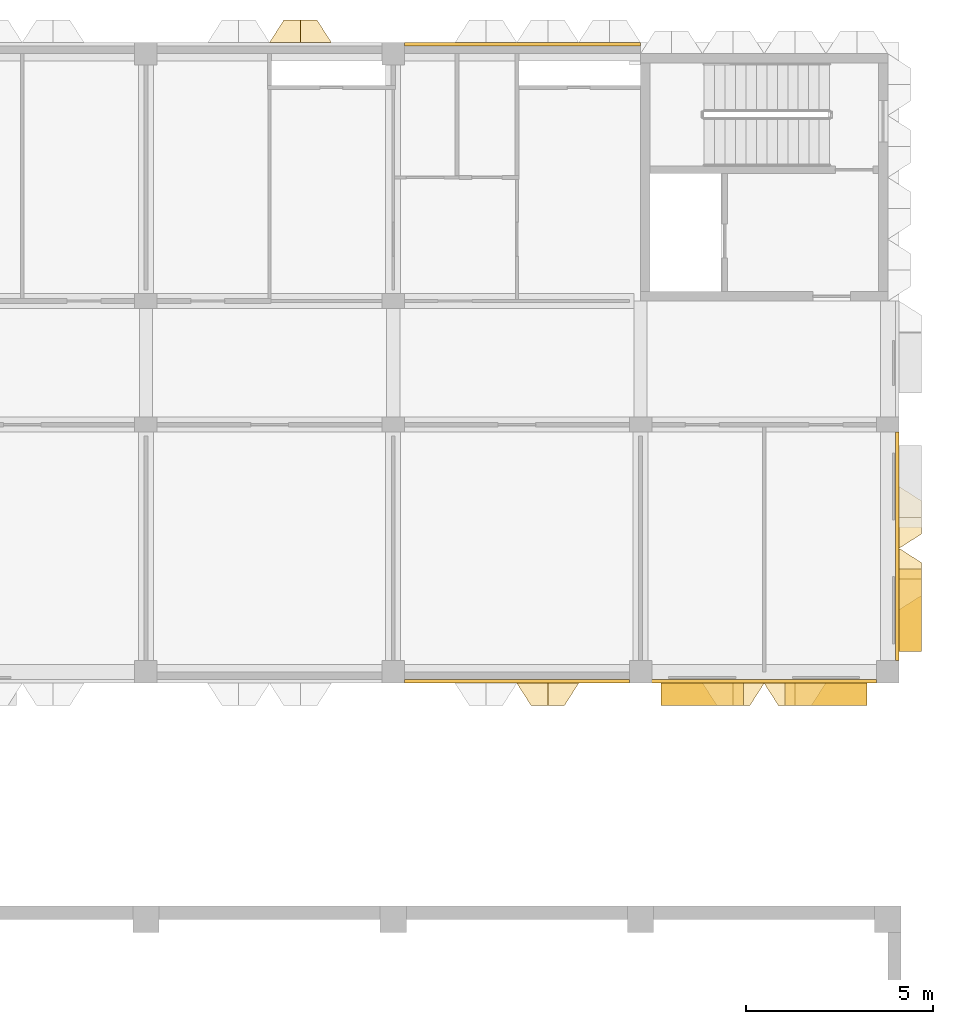
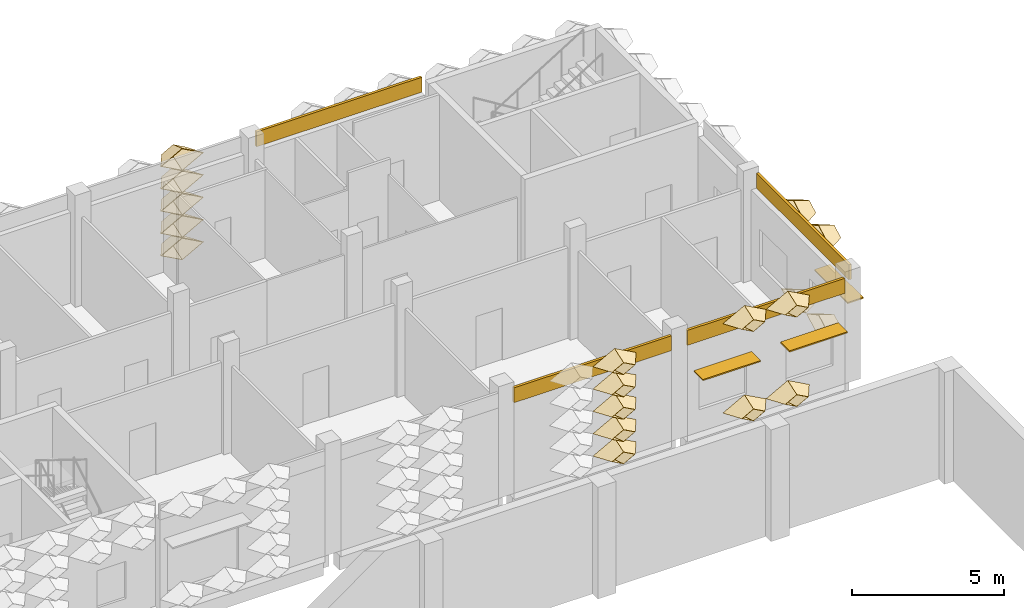
# One storey, part 83 of 87: 22 coverings, 3 shading devices.
"""IFC4 building model written with IfcOpenShell, lengths in metres."""

from ifc_helpers import new_model, entity, si_unit, direction, frame, frame_2d, origin, origin_2d, place, context, subcontext, project, spatial, rectangle, extrude, material, layer, layer_set, type_object, element, save


model = new_model("IFC4")

# Units and contexts
model_context = context("Model", 3, precision=1e-05, world=origin(), true_north=direction((0.0, 1.0)))
body_context = subcontext(model_context, "Body", "Model", "MODEL_VIEW")
ifc_project = project(units=[si_unit("LENGTHUNIT", "METRE"), si_unit("AREAUNIT", "SQUARE_METRE"), si_unit("VOLUMEUNIT", "CUBIC_METRE"), si_unit("PLANEANGLEUNIT", "RADIAN"), si_unit("MASSUNIT", "GRAM", prefix="KILO")], contexts=[model_context])

# Site, building, storey
site_placement = place(None, origin())
site = spatial("IfcSite", under=ifc_project, at=site_placement, CompositionType="ELEMENT")
building_placement = place(site_placement, origin())
building = spatial("IfcBuilding", under=site, at=building_placement, Name="Lantern Court Research Institute", CompositionType="ELEMENT")
storey_placement = place(building_placement, frame((0.0, 0.0, 5.39990234375)))
storey = spatial("IfcBuildingStorey", under=building, at=storey_placement, Name="L01", CompositionType="ELEMENT", Elevation=5.39990234375)

# Shading devices
ifc_material_1 = material(Name="Aluminium alloy 6063-T6", Category="aluminium")
ifc_layer_1 = layer(ifc_material_1, 0.050048828125)
ifc_layer_set_1 = layer_set([ifc_layer_1], Name="Aluminium alloy 6063-T6")
shading_device_type = type_object("IfcShadingDeviceType", Name="Brise-soleil blade 2200 x 600 x 50 aluminium", PredefinedType="USERDEFINED", material=ifc_layer_set_1)
for number, where, z_axis, x_axis, name in (
    (1, (79.800048828125, 84.14990234375, 2.5), (0.0, 0.0, 1.0), (0.0, -1.0, 0.0), "Brise-soleil blade L01 E"),
    (2, (74.25, 81.89990234375, 2.5), (0.0, 0.0, 1.0), (-1.0, 0.0, 0.0), "Brise-soleil blade L01 S"),
    (3, (77.550048828125, 81.89990234375, 2.5), (0.0, 0.0, 1.0), (-1.0, 0.0, 0.0), "Brise-soleil blade L01 S"),
):
    element("IfcShadingDevice", number, at=place(storey_placement, frame(where, z_axis=z_axis, x_axis=x_axis)), inside=storey, type_object=shading_device_type, Name=name, ObjectType="LOUVRE", PredefinedType="USERDEFINED", context=body_context, shape_type="SweptSolid", body=[
        extrude(rectangle(XDim=2.199951171875, YDim=0.60009765625, at=origin_2d()), origin(), (0.0, 0.0, 1.0), 0.050048828125),
    ])

# Coverings
ifc_material_2 = material(Name="Aluminium composite panel with mineral wool insulation", Category="aluminium")
ifc_layer_2 = layer(ifc_material_2, 0.10009765625)
ifc_layer_set_2 = layer_set([ifc_layer_2], Name="Aluminium composite panel with mineral wool insulation")
covering_type_1 = type_object("IfcCoveringType", Name="Edge fascia panel 100 aluminium faced", PredefinedType="CLADDING", material=ifc_layer_set_2)
covering_1_placement = place(storey_placement, frame((79.449951171875, 88.89990234375, 3.650146484375), z_axis=(0.0, 0.0, 1.0), x_axis=(0.0, -1.0, 0.0)))
element("IfcCovering", 4, at=covering_1_placement, inside=storey, type_object=covering_type_1, Name="Edge fascia V6E L01 01", PredefinedType="CLADDING", context=body_context, shape_type="SweptSolid", body=[
    extrude(rectangle(XDim=6.099853515625, YDim=0.10009765625, at=frame_2d((3.0498046875, 0.0))), origin(), (0.0, 0.0, 1.0), 0.599853515625),
])
covering_2_placement = place(storey_placement, frame((66.300048828125, 99.25, 3.650146484375), z_axis=(0.0, 0.0, 1.0), x_axis=(1.0, 0.0, 0.0)))
element("IfcCovering", 5, at=covering_2_placement, inside=storey, type_object=covering_type_1, Name="Edge fascia V6N L01 10", PredefinedType="CLADDING", context=body_context, shape_type="SweptSolid", body=[
    extrude(rectangle(XDim=6.300048828125, YDim=0.10009765625, at=frame_2d((3.14990234375, 0.0))), origin(), (0.0, 0.0, 1.0), 0.599853515625),
])
for number, where, z_axis, x_axis, name in (
    (6, (72.300048828125, 82.25, 3.650146484375), (0.0, 0.0, 1.0), (-1.0, 0.0, 0.0), "Edge fascia V6S L01 09"),
    (7, (78.89990234375, 82.25, 3.650146484375), (0.0, 0.0, 1.0), (-1.0, 0.0, 0.0), "Edge fascia V6S L01 10"),
):
    element("IfcCovering", number, at=place(storey_placement, frame(where, z_axis=z_axis, x_axis=x_axis)), inside=storey, type_object=covering_type_1, Name=name, PredefinedType="CLADDING", context=body_context, shape_type="SweptSolid", body=[
        extrude(rectangle(XDim=6.0, YDim=0.10009765625, at=frame_2d((3.0, 0.0))), origin(), (0.0, 0.0, 1.0), 0.599853515625),
    ])
ifc_material_3 = material(Name="Anodised aluminium", Category="aluminium")
ifc_layer_3 = layer(ifc_material_3, 0.01611328125)
ifc_layer_set_3 = layer_set([ifc_layer_3], Name="Anodised aluminium")
covering_type_2 = type_object("IfcCoveringType", Name="Fin cassette 1650 x 900 x 600 aluminium", PredefinedType="CLADDING", material=ifc_layer_set_3)
covering_3_placement = place(storey_placement, frame((79.5, 84.97509765625, 0.4501953125), z_axis=(1.0, 0.0, 0.0), x_axis=(0.0, 1.0, 0.0)))
cartesian_point_1 = entity("IfcCartesianPoint", [0.824951171875, 0.0])
cartesian_point_2 = entity("IfcCartesianPoint", [0.79150390625, 0.0])
cartesian_point_3 = entity("IfcCartesianPoint", [0.44189453125, 0.0])
cartesian_point_4 = entity("IfcCartesianPoint", [0.43359375, 0.0])
element("IfcCovering", 8, at=covering_3_placement, inside=storey, type_object=covering_type_2, Name="Fin cassette V6E-L01 1.52", PredefinedType="CLADDING", context=body_context, shape_type="SweptSolid", body=[
    entity("IfcExtrudedAreaSolidTapered", entity("IfcArbitraryProfileDefWithVoids", "AREA", None, entity("IfcPolyline", [cartesian_point_1, entity("IfcCartesianPoint", [0.0, 0.449951171875]), entity("IfcCartesianPoint", [-0.824951171875, 0.0]), entity("IfcCartesianPoint", [0.0, -0.449951171875]), cartesian_point_1]), [entity("IfcPolyline", [cartesian_point_2, entity("IfcCartesianPoint", [0.0, 0.431884765625]), entity("IfcCartesianPoint", [-0.79150390625, 0.0]), entity("IfcCartesianPoint", [0.0, -0.431884765625]), cartesian_point_2])]), entity("IfcAxis2Placement3D", entity("IfcCartesianPoint", [0.0, 0.0, 0.0])), entity("IfcDirection", [0.0, 0.0, 1.0]), 0.60009765625, entity("IfcArbitraryProfileDefWithVoids", "AREA", None, entity("IfcPolyline", [cartesian_point_3, entity("IfcCartesianPoint", [0.0, 0.240966796875]), entity("IfcCartesianPoint", [-0.44189453125, 0.0]), entity("IfcCartesianPoint", [0.0, -0.240966796875]), cartesian_point_3]), [entity("IfcPolyline", [cartesian_point_4, entity("IfcCartesianPoint", [0.0, 0.236572265625]), entity("IfcCartesianPoint", [-0.43359375, 0.0]), entity("IfcCartesianPoint", [0.0, -0.236572265625]), cartesian_point_4])])),
])
covering_4_placement = place(storey_placement, frame((79.5, 86.625, 0.4501953125), z_axis=(1.0, 0.0, 0.0), x_axis=(0.0, 1.0, 0.0)))
cartesian_point_5 = entity("IfcCartesianPoint", [0.824951171875, 0.0])
cartesian_point_6 = entity("IfcCartesianPoint", [0.79150390625, 0.0])
cartesian_point_7 = entity("IfcCartesianPoint", [0.44189453125, 0.0])
cartesian_point_8 = entity("IfcCartesianPoint", [0.43359375, 0.0])
element("IfcCovering", 9, at=covering_4_placement, inside=storey, type_object=covering_type_2, Name="Fin cassette V6E-L01 1.53", PredefinedType="CLADDING", context=body_context, shape_type="SweptSolid", body=[
    entity("IfcExtrudedAreaSolidTapered", entity("IfcArbitraryProfileDefWithVoids", "AREA", None, entity("IfcPolyline", [cartesian_point_5, entity("IfcCartesianPoint", [0.0, 0.449951171875]), entity("IfcCartesianPoint", [-0.824951171875, 0.0]), entity("IfcCartesianPoint", [0.0, -0.449951171875]), cartesian_point_5]), [entity("IfcPolyline", [cartesian_point_6, entity("IfcCartesianPoint", [0.0, 0.431884765625]), entity("IfcCartesianPoint", [-0.79150390625, 0.0]), entity("IfcCartesianPoint", [0.0, -0.431884765625]), cartesian_point_6])]), entity("IfcAxis2Placement3D", entity("IfcCartesianPoint", [0.0, 0.0, 0.0])), entity("IfcDirection", [0.0, 0.0, 1.0]), 0.60009765625, entity("IfcArbitraryProfileDefWithVoids", "AREA", None, entity("IfcPolyline", [cartesian_point_7, entity("IfcCartesianPoint", [0.0, 0.240966796875]), entity("IfcCartesianPoint", [-0.44189453125, 0.0]), entity("IfcCartesianPoint", [0.0, -0.240966796875]), cartesian_point_7]), [entity("IfcPolyline", [cartesian_point_8, entity("IfcCartesianPoint", [0.0, 0.236572265625]), entity("IfcCartesianPoint", [-0.43359375, 0.0]), entity("IfcCartesianPoint", [0.0, -0.236572265625]), cartesian_point_8])])),
])
covering_5_placement = place(storey_placement, frame((79.5, 84.97509765625, 4.050048828125), z_axis=(1.0, 0.0, 0.0), x_axis=(0.0, 1.0, 0.0)))
cartesian_point_9 = entity("IfcCartesianPoint", [0.824951171875, 0.0])
cartesian_point_10 = entity("IfcCartesianPoint", [0.79150390625, 0.0])
cartesian_point_11 = entity("IfcCartesianPoint", [0.44189453125, 0.0])
cartesian_point_12 = entity("IfcCartesianPoint", [0.43359375, 0.0])
element("IfcCovering", 10, at=covering_5_placement, inside=storey, type_object=covering_type_2, Name="Fin cassette V6E-L01 5.52", PredefinedType="CLADDING", context=body_context, shape_type="SweptSolid", body=[
    entity("IfcExtrudedAreaSolidTapered", entity("IfcArbitraryProfileDefWithVoids", "AREA", None, entity("IfcPolyline", [cartesian_point_9, entity("IfcCartesianPoint", [0.0, 0.449951171875]), entity("IfcCartesianPoint", [-0.824951171875, 0.0]), entity("IfcCartesianPoint", [0.0, -0.449951171875]), cartesian_point_9]), [entity("IfcPolyline", [cartesian_point_10, entity("IfcCartesianPoint", [0.0, 0.431884765625]), entity("IfcCartesianPoint", [-0.79150390625, 0.0]), entity("IfcCartesianPoint", [0.0, -0.431884765625]), cartesian_point_10])]), entity("IfcAxis2Placement3D", entity("IfcCartesianPoint", [0.0, 0.0, 0.0])), entity("IfcDirection", [0.0, 0.0, 1.0]), 0.60009765625, entity("IfcArbitraryProfileDefWithVoids", "AREA", None, entity("IfcPolyline", [cartesian_point_11, entity("IfcCartesianPoint", [0.0, 0.240966796875]), entity("IfcCartesianPoint", [-0.44189453125, 0.0]), entity("IfcCartesianPoint", [0.0, -0.240966796875]), cartesian_point_11]), [entity("IfcPolyline", [cartesian_point_12, entity("IfcCartesianPoint", [0.0, 0.236572265625]), entity("IfcCartesianPoint", [-0.43359375, 0.0]), entity("IfcCartesianPoint", [0.0, -0.236572265625]), cartesian_point_12])])),
])
covering_6_placement = place(storey_placement, frame((79.5, 86.625, 4.050048828125), z_axis=(1.0, 0.0, 0.0), x_axis=(0.0, 1.0, 0.0)))
cartesian_point_13 = entity("IfcCartesianPoint", [0.824951171875, 0.0])
cartesian_point_14 = entity("IfcCartesianPoint", [0.79150390625, 0.0])
cartesian_point_15 = entity("IfcCartesianPoint", [0.44189453125, 0.0])
cartesian_point_16 = entity("IfcCartesianPoint", [0.43359375, 0.0])
element("IfcCovering", 11, at=covering_6_placement, inside=storey, type_object=covering_type_2, Name="Fin cassette V6E-L01 5.53", PredefinedType="CLADDING", context=body_context, shape_type="SweptSolid", body=[
    entity("IfcExtrudedAreaSolidTapered", entity("IfcArbitraryProfileDefWithVoids", "AREA", None, entity("IfcPolyline", [cartesian_point_13, entity("IfcCartesianPoint", [0.0, 0.449951171875]), entity("IfcCartesianPoint", [-0.824951171875, 0.0]), entity("IfcCartesianPoint", [0.0, -0.449951171875]), cartesian_point_13]), [entity("IfcPolyline", [cartesian_point_14, entity("IfcCartesianPoint", [0.0, 0.431884765625]), entity("IfcCartesianPoint", [-0.79150390625, 0.0]), entity("IfcCartesianPoint", [0.0, -0.431884765625]), cartesian_point_14])]), entity("IfcAxis2Placement3D", entity("IfcCartesianPoint", [0.0, 0.0, 0.0])), entity("IfcDirection", [0.0, 0.0, 1.0]), 0.60009765625, entity("IfcArbitraryProfileDefWithVoids", "AREA", None, entity("IfcPolyline", [cartesian_point_15, entity("IfcCartesianPoint", [0.0, 0.240966796875]), entity("IfcCartesianPoint", [-0.44189453125, 0.0]), entity("IfcCartesianPoint", [0.0, -0.240966796875]), cartesian_point_15]), [entity("IfcPolyline", [cartesian_point_16, entity("IfcCartesianPoint", [0.0, 0.236572265625]), entity("IfcCartesianPoint", [-0.43359375, 0.0]), entity("IfcCartesianPoint", [0.0, -0.236572265625]), cartesian_point_16])])),
])
covering_7_placement = place(storey_placement, frame((63.52490234375, 99.300048828125, 0.4501953125), z_axis=(0.0, 1.0, 0.0), x_axis=(-1.0, 0.0, 0.0)))
cartesian_point_17 = entity("IfcCartesianPoint", [0.824951171875, 0.0])
cartesian_point_18 = entity("IfcCartesianPoint", [0.79150390625, 0.0])
cartesian_point_19 = entity("IfcCartesianPoint", [0.44189453125, 0.0])
cartesian_point_20 = entity("IfcCartesianPoint", [0.43359375, 0.0])
element("IfcCovering", 12, at=covering_7_placement, inside=storey, type_object=covering_type_2, Name="Fin cassette V6N-L01 1.39", PredefinedType="CLADDING", context=body_context, shape_type="SweptSolid", body=[
    entity("IfcExtrudedAreaSolidTapered", entity("IfcArbitraryProfileDefWithVoids", "AREA", None, entity("IfcPolyline", [cartesian_point_17, entity("IfcCartesianPoint", [0.0, 0.449951171875]), entity("IfcCartesianPoint", [-0.824951171875, 0.0]), entity("IfcCartesianPoint", [0.0, -0.449951171875]), cartesian_point_17]), [entity("IfcPolyline", [cartesian_point_18, entity("IfcCartesianPoint", [0.0, 0.431884765625]), entity("IfcCartesianPoint", [-0.79150390625, 0.0]), entity("IfcCartesianPoint", [0.0, -0.431884765625]), cartesian_point_18])]), entity("IfcAxis2Placement3D", entity("IfcCartesianPoint", [0.0, 0.0, 0.0])), entity("IfcDirection", [0.0, 0.0, 1.0]), 0.60009765625, entity("IfcArbitraryProfileDefWithVoids", "AREA", None, entity("IfcPolyline", [cartesian_point_19, entity("IfcCartesianPoint", [0.0, 0.240966796875]), entity("IfcCartesianPoint", [-0.44189453125, 0.0]), entity("IfcCartesianPoint", [0.0, -0.240966796875]), cartesian_point_19]), [entity("IfcPolyline", [cartesian_point_20, entity("IfcCartesianPoint", [0.0, 0.236572265625]), entity("IfcCartesianPoint", [-0.43359375, 0.0]), entity("IfcCartesianPoint", [0.0, -0.236572265625]), cartesian_point_20])])),
])
covering_8_placement = place(storey_placement, frame((63.52490234375, 99.300048828125, 1.35009765625), z_axis=(0.0, 1.0, 0.0), x_axis=(-1.0, 0.0, 0.0)))
cartesian_point_21 = entity("IfcCartesianPoint", [0.824951171875, 0.0])
cartesian_point_22 = entity("IfcCartesianPoint", [0.79150390625, 0.0])
cartesian_point_23 = entity("IfcCartesianPoint", [0.44189453125, 0.0])
cartesian_point_24 = entity("IfcCartesianPoint", [0.43359375, 0.0])
element("IfcCovering", 13, at=covering_8_placement, inside=storey, type_object=covering_type_2, Name="Fin cassette V6N-L01 2.39", PredefinedType="CLADDING", context=body_context, shape_type="SweptSolid", body=[
    entity("IfcExtrudedAreaSolidTapered", entity("IfcArbitraryProfileDefWithVoids", "AREA", None, entity("IfcPolyline", [cartesian_point_21, entity("IfcCartesianPoint", [0.0, 0.449951171875]), entity("IfcCartesianPoint", [-0.824951171875, 0.0]), entity("IfcCartesianPoint", [0.0, -0.449951171875]), cartesian_point_21]), [entity("IfcPolyline", [cartesian_point_22, entity("IfcCartesianPoint", [0.0, 0.431884765625]), entity("IfcCartesianPoint", [-0.79150390625, 0.0]), entity("IfcCartesianPoint", [0.0, -0.431884765625]), cartesian_point_22])]), entity("IfcAxis2Placement3D", entity("IfcCartesianPoint", [0.0, 0.0, 0.0])), entity("IfcDirection", [0.0, 0.0, 1.0]), 0.60009765625, entity("IfcArbitraryProfileDefWithVoids", "AREA", None, entity("IfcPolyline", [cartesian_point_23, entity("IfcCartesianPoint", [0.0, 0.240966796875]), entity("IfcCartesianPoint", [-0.44189453125, 0.0]), entity("IfcCartesianPoint", [0.0, -0.240966796875]), cartesian_point_23]), [entity("IfcPolyline", [cartesian_point_24, entity("IfcCartesianPoint", [0.0, 0.236572265625]), entity("IfcCartesianPoint", [-0.43359375, 0.0]), entity("IfcCartesianPoint", [0.0, -0.236572265625]), cartesian_point_24])])),
])
covering_9_placement = place(storey_placement, frame((63.52490234375, 99.300048828125, 2.25), z_axis=(0.0, 1.0, 0.0), x_axis=(-1.0, 0.0, 0.0)))
cartesian_point_25 = entity("IfcCartesianPoint", [0.824951171875, 0.0])
cartesian_point_26 = entity("IfcCartesianPoint", [0.79150390625, 0.0])
cartesian_point_27 = entity("IfcCartesianPoint", [0.44189453125, 0.0])
cartesian_point_28 = entity("IfcCartesianPoint", [0.43359375, 0.0])
element("IfcCovering", 14, at=covering_9_placement, inside=storey, type_object=covering_type_2, Name="Fin cassette V6N-L01 3.39", PredefinedType="CLADDING", context=body_context, shape_type="SweptSolid", body=[
    entity("IfcExtrudedAreaSolidTapered", entity("IfcArbitraryProfileDefWithVoids", "AREA", None, entity("IfcPolyline", [cartesian_point_25, entity("IfcCartesianPoint", [0.0, 0.449951171875]), entity("IfcCartesianPoint", [-0.824951171875, 0.0]), entity("IfcCartesianPoint", [0.0, -0.449951171875]), cartesian_point_25]), [entity("IfcPolyline", [cartesian_point_26, entity("IfcCartesianPoint", [0.0, 0.431884765625]), entity("IfcCartesianPoint", [-0.79150390625, 0.0]), entity("IfcCartesianPoint", [0.0, -0.431884765625]), cartesian_point_26])]), entity("IfcAxis2Placement3D", entity("IfcCartesianPoint", [0.0, 0.0, 0.0])), entity("IfcDirection", [0.0, 0.0, 1.0]), 0.60009765625, entity("IfcArbitraryProfileDefWithVoids", "AREA", None, entity("IfcPolyline", [cartesian_point_27, entity("IfcCartesianPoint", [0.0, 0.240966796875]), entity("IfcCartesianPoint", [-0.44189453125, 0.0]), entity("IfcCartesianPoint", [0.0, -0.240966796875]), cartesian_point_27]), [entity("IfcPolyline", [cartesian_point_28, entity("IfcCartesianPoint", [0.0, 0.236572265625]), entity("IfcCartesianPoint", [-0.43359375, 0.0]), entity("IfcCartesianPoint", [0.0, -0.236572265625]), cartesian_point_28])])),
])
covering_10_placement = place(storey_placement, frame((63.52490234375, 99.300048828125, 3.150146484375), z_axis=(0.0, 1.0, 0.0), x_axis=(-1.0, 0.0, 0.0)))
cartesian_point_29 = entity("IfcCartesianPoint", [0.824951171875, 0.0])
cartesian_point_30 = entity("IfcCartesianPoint", [0.79150390625, 0.0])
cartesian_point_31 = entity("IfcCartesianPoint", [0.44189453125, 0.0])
cartesian_point_32 = entity("IfcCartesianPoint", [0.43359375, 0.0])
element("IfcCovering", 15, at=covering_10_placement, inside=storey, type_object=covering_type_2, Name="Fin cassette V6N-L01 4.39", PredefinedType="CLADDING", context=body_context, shape_type="SweptSolid", body=[
    entity("IfcExtrudedAreaSolidTapered", entity("IfcArbitraryProfileDefWithVoids", "AREA", None, entity("IfcPolyline", [cartesian_point_29, entity("IfcCartesianPoint", [0.0, 0.449951171875]), entity("IfcCartesianPoint", [-0.824951171875, 0.0]), entity("IfcCartesianPoint", [0.0, -0.449951171875]), cartesian_point_29]), [entity("IfcPolyline", [cartesian_point_30, entity("IfcCartesianPoint", [0.0, 0.431884765625]), entity("IfcCartesianPoint", [-0.79150390625, 0.0]), entity("IfcCartesianPoint", [0.0, -0.431884765625]), cartesian_point_30])]), entity("IfcAxis2Placement3D", entity("IfcCartesianPoint", [0.0, 0.0, 0.0])), entity("IfcDirection", [0.0, 0.0, 1.0]), 0.60009765625, entity("IfcArbitraryProfileDefWithVoids", "AREA", None, entity("IfcPolyline", [cartesian_point_31, entity("IfcCartesianPoint", [0.0, 0.240966796875]), entity("IfcCartesianPoint", [-0.44189453125, 0.0]), entity("IfcCartesianPoint", [0.0, -0.240966796875]), cartesian_point_31]), [entity("IfcPolyline", [cartesian_point_32, entity("IfcCartesianPoint", [0.0, 0.236572265625]), entity("IfcCartesianPoint", [-0.43359375, 0.0]), entity("IfcCartesianPoint", [0.0, -0.236572265625]), cartesian_point_32])])),
])
covering_11_placement = place(storey_placement, frame((63.52490234375, 99.300048828125, 4.050048828125), z_axis=(0.0, 1.0, 0.0), x_axis=(-1.0, 0.0, 0.0)))
cartesian_point_33 = entity("IfcCartesianPoint", [0.824951171875, 0.0])
cartesian_point_34 = entity("IfcCartesianPoint", [0.79150390625, 0.0])
cartesian_point_35 = entity("IfcCartesianPoint", [0.44189453125, 0.0])
cartesian_point_36 = entity("IfcCartesianPoint", [0.43359375, 0.0])
element("IfcCovering", 16, at=covering_11_placement, inside=storey, type_object=covering_type_2, Name="Fin cassette V6N-L01 5.39", PredefinedType="CLADDING", context=body_context, shape_type="SweptSolid", body=[
    entity("IfcExtrudedAreaSolidTapered", entity("IfcArbitraryProfileDefWithVoids", "AREA", None, entity("IfcPolyline", [cartesian_point_33, entity("IfcCartesianPoint", [0.0, 0.449951171875]), entity("IfcCartesianPoint", [-0.824951171875, 0.0]), entity("IfcCartesianPoint", [0.0, -0.449951171875]), cartesian_point_33]), [entity("IfcPolyline", [cartesian_point_34, entity("IfcCartesianPoint", [0.0, 0.431884765625]), entity("IfcCartesianPoint", [-0.79150390625, 0.0]), entity("IfcCartesianPoint", [0.0, -0.431884765625]), cartesian_point_34])]), entity("IfcAxis2Placement3D", entity("IfcCartesianPoint", [0.0, 0.0, 0.0])), entity("IfcDirection", [0.0, 0.0, 1.0]), 0.60009765625, entity("IfcArbitraryProfileDefWithVoids", "AREA", None, entity("IfcPolyline", [cartesian_point_35, entity("IfcCartesianPoint", [0.0, 0.240966796875]), entity("IfcCartesianPoint", [-0.44189453125, 0.0]), entity("IfcCartesianPoint", [0.0, -0.240966796875]), cartesian_point_35]), [entity("IfcPolyline", [cartesian_point_36, entity("IfcCartesianPoint", [0.0, 0.236572265625]), entity("IfcCartesianPoint", [-0.43359375, 0.0]), entity("IfcCartesianPoint", [0.0, -0.236572265625]), cartesian_point_36])])),
])
covering_12_placement = place(storey_placement, frame((70.125, 82.199951171875, 0.4501953125), z_axis=(0.0, -1.0, 0.0), x_axis=(1.0, 0.0, 0.0)))
cartesian_point_37 = entity("IfcCartesianPoint", [0.824951171875, 0.0])
cartesian_point_38 = entity("IfcCartesianPoint", [0.79150390625, 0.0])
cartesian_point_39 = entity("IfcCartesianPoint", [0.44189453125, 0.0])
cartesian_point_40 = entity("IfcCartesianPoint", [0.43359375, 0.0])
element("IfcCovering", 17, at=covering_12_placement, inside=storey, type_object=covering_type_2, Name="Fin cassette V6S-L01 1.43", PredefinedType="CLADDING", context=body_context, shape_type="SweptSolid", body=[
    entity("IfcExtrudedAreaSolidTapered", entity("IfcArbitraryProfileDefWithVoids", "AREA", None, entity("IfcPolyline", [cartesian_point_37, entity("IfcCartesianPoint", [0.0, 0.449951171875]), entity("IfcCartesianPoint", [-0.824951171875, 0.0]), entity("IfcCartesianPoint", [0.0, -0.449951171875]), cartesian_point_37]), [entity("IfcPolyline", [cartesian_point_38, entity("IfcCartesianPoint", [0.0, 0.431884765625]), entity("IfcCartesianPoint", [-0.79150390625, 0.0]), entity("IfcCartesianPoint", [0.0, -0.431884765625]), cartesian_point_38])]), entity("IfcAxis2Placement3D", entity("IfcCartesianPoint", [0.0, 0.0, 0.0])), entity("IfcDirection", [0.0, 0.0, 1.0]), 0.60009765625, entity("IfcArbitraryProfileDefWithVoids", "AREA", None, entity("IfcPolyline", [cartesian_point_39, entity("IfcCartesianPoint", [0.0, 0.240966796875]), entity("IfcCartesianPoint", [-0.44189453125, 0.0]), entity("IfcCartesianPoint", [0.0, -0.240966796875]), cartesian_point_39]), [entity("IfcPolyline", [cartesian_point_40, entity("IfcCartesianPoint", [0.0, 0.236572265625]), entity("IfcCartesianPoint", [-0.43359375, 0.0]), entity("IfcCartesianPoint", [0.0, -0.236572265625]), cartesian_point_40])])),
])
covering_13_placement = place(storey_placement, frame((75.074951171875, 82.199951171875, 0.4501953125), z_axis=(0.0, -1.0, 0.0), x_axis=(1.0, 0.0, 0.0)))
cartesian_point_41 = entity("IfcCartesianPoint", [0.824951171875, 0.0])
cartesian_point_42 = entity("IfcCartesianPoint", [0.79150390625, 0.0])
cartesian_point_43 = entity("IfcCartesianPoint", [0.44189453125, 0.0])
cartesian_point_44 = entity("IfcCartesianPoint", [0.43359375, 0.0])
element("IfcCovering", 18, at=covering_13_placement, inside=storey, type_object=covering_type_2, Name="Fin cassette V6S-L01 1.46", PredefinedType="CLADDING", context=body_context, shape_type="SweptSolid", body=[
    entity("IfcExtrudedAreaSolidTapered", entity("IfcArbitraryProfileDefWithVoids", "AREA", None, entity("IfcPolyline", [cartesian_point_41, entity("IfcCartesianPoint", [0.0, 0.449951171875]), entity("IfcCartesianPoint", [-0.824951171875, 0.0]), entity("IfcCartesianPoint", [0.0, -0.449951171875]), cartesian_point_41]), [entity("IfcPolyline", [cartesian_point_42, entity("IfcCartesianPoint", [0.0, 0.431884765625]), entity("IfcCartesianPoint", [-0.79150390625, 0.0]), entity("IfcCartesianPoint", [0.0, -0.431884765625]), cartesian_point_42])]), entity("IfcAxis2Placement3D", entity("IfcCartesianPoint", [0.0, 0.0, 0.0])), entity("IfcDirection", [0.0, 0.0, 1.0]), 0.60009765625, entity("IfcArbitraryProfileDefWithVoids", "AREA", None, entity("IfcPolyline", [cartesian_point_43, entity("IfcCartesianPoint", [0.0, 0.240966796875]), entity("IfcCartesianPoint", [-0.44189453125, 0.0]), entity("IfcCartesianPoint", [0.0, -0.240966796875]), cartesian_point_43]), [entity("IfcPolyline", [cartesian_point_44, entity("IfcCartesianPoint", [0.0, 0.236572265625]), entity("IfcCartesianPoint", [-0.43359375, 0.0]), entity("IfcCartesianPoint", [0.0, -0.236572265625]), cartesian_point_44])])),
])
covering_14_placement = place(storey_placement, frame((76.72509765625, 82.199951171875, 0.4501953125), z_axis=(0.0, -1.0, 0.0), x_axis=(1.0, 0.0, 0.0)))
cartesian_point_45 = entity("IfcCartesianPoint", [0.824951171875, 0.0])
cartesian_point_46 = entity("IfcCartesianPoint", [0.79150390625, 0.0])
cartesian_point_47 = entity("IfcCartesianPoint", [0.44189453125, 0.0])
cartesian_point_48 = entity("IfcCartesianPoint", [0.43359375, 0.0])
element("IfcCovering", 19, at=covering_14_placement, inside=storey, type_object=covering_type_2, Name="Fin cassette V6S-L01 1.47", PredefinedType="CLADDING", context=body_context, shape_type="SweptSolid", body=[
    entity("IfcExtrudedAreaSolidTapered", entity("IfcArbitraryProfileDefWithVoids", "AREA", None, entity("IfcPolyline", [cartesian_point_45, entity("IfcCartesianPoint", [0.0, 0.449951171875]), entity("IfcCartesianPoint", [-0.824951171875, 0.0]), entity("IfcCartesianPoint", [0.0, -0.449951171875]), cartesian_point_45]), [entity("IfcPolyline", [cartesian_point_46, entity("IfcCartesianPoint", [0.0, 0.431884765625]), entity("IfcCartesianPoint", [-0.79150390625, 0.0]), entity("IfcCartesianPoint", [0.0, -0.431884765625]), cartesian_point_46])]), entity("IfcAxis2Placement3D", entity("IfcCartesianPoint", [0.0, 0.0, 0.0])), entity("IfcDirection", [0.0, 0.0, 1.0]), 0.60009765625, entity("IfcArbitraryProfileDefWithVoids", "AREA", None, entity("IfcPolyline", [cartesian_point_47, entity("IfcCartesianPoint", [0.0, 0.240966796875]), entity("IfcCartesianPoint", [-0.44189453125, 0.0]), entity("IfcCartesianPoint", [0.0, -0.240966796875]), cartesian_point_47]), [entity("IfcPolyline", [cartesian_point_48, entity("IfcCartesianPoint", [0.0, 0.236572265625]), entity("IfcCartesianPoint", [-0.43359375, 0.0]), entity("IfcCartesianPoint", [0.0, -0.236572265625]), cartesian_point_48])])),
])
covering_15_placement = place(storey_placement, frame((70.125, 82.199951171875, 1.35009765625), z_axis=(0.0, -1.0, 0.0), x_axis=(1.0, 0.0, 0.0)))
cartesian_point_49 = entity("IfcCartesianPoint", [0.824951171875, 0.0])
cartesian_point_50 = entity("IfcCartesianPoint", [0.79150390625, 0.0])
cartesian_point_51 = entity("IfcCartesianPoint", [0.44189453125, 0.0])
cartesian_point_52 = entity("IfcCartesianPoint", [0.43359375, 0.0])
element("IfcCovering", 20, at=covering_15_placement, inside=storey, type_object=covering_type_2, Name="Fin cassette V6S-L01 2.43", PredefinedType="CLADDING", context=body_context, shape_type="SweptSolid", body=[
    entity("IfcExtrudedAreaSolidTapered", entity("IfcArbitraryProfileDefWithVoids", "AREA", None, entity("IfcPolyline", [cartesian_point_49, entity("IfcCartesianPoint", [0.0, 0.449951171875]), entity("IfcCartesianPoint", [-0.824951171875, 0.0]), entity("IfcCartesianPoint", [0.0, -0.449951171875]), cartesian_point_49]), [entity("IfcPolyline", [cartesian_point_50, entity("IfcCartesianPoint", [0.0, 0.431884765625]), entity("IfcCartesianPoint", [-0.79150390625, 0.0]), entity("IfcCartesianPoint", [0.0, -0.431884765625]), cartesian_point_50])]), entity("IfcAxis2Placement3D", entity("IfcCartesianPoint", [0.0, 0.0, 0.0])), entity("IfcDirection", [0.0, 0.0, 1.0]), 0.60009765625, entity("IfcArbitraryProfileDefWithVoids", "AREA", None, entity("IfcPolyline", [cartesian_point_51, entity("IfcCartesianPoint", [0.0, 0.240966796875]), entity("IfcCartesianPoint", [-0.44189453125, 0.0]), entity("IfcCartesianPoint", [0.0, -0.240966796875]), cartesian_point_51]), [entity("IfcPolyline", [cartesian_point_52, entity("IfcCartesianPoint", [0.0, 0.236572265625]), entity("IfcCartesianPoint", [-0.43359375, 0.0]), entity("IfcCartesianPoint", [0.0, -0.236572265625]), cartesian_point_52])])),
])
covering_16_placement = place(storey_placement, frame((70.125, 82.199951171875, 2.25), z_axis=(0.0, -1.0, 0.0), x_axis=(1.0, 0.0, 0.0)))
cartesian_point_53 = entity("IfcCartesianPoint", [0.824951171875, 0.0])
cartesian_point_54 = entity("IfcCartesianPoint", [0.79150390625, 0.0])
cartesian_point_55 = entity("IfcCartesianPoint", [0.44189453125, 0.0])
cartesian_point_56 = entity("IfcCartesianPoint", [0.43359375, 0.0])
element("IfcCovering", 21, at=covering_16_placement, inside=storey, type_object=covering_type_2, Name="Fin cassette V6S-L01 3.43", PredefinedType="CLADDING", context=body_context, shape_type="SweptSolid", body=[
    entity("IfcExtrudedAreaSolidTapered", entity("IfcArbitraryProfileDefWithVoids", "AREA", None, entity("IfcPolyline", [cartesian_point_53, entity("IfcCartesianPoint", [0.0, 0.449951171875]), entity("IfcCartesianPoint", [-0.824951171875, 0.0]), entity("IfcCartesianPoint", [0.0, -0.449951171875]), cartesian_point_53]), [entity("IfcPolyline", [cartesian_point_54, entity("IfcCartesianPoint", [0.0, 0.431884765625]), entity("IfcCartesianPoint", [-0.79150390625, 0.0]), entity("IfcCartesianPoint", [0.0, -0.431884765625]), cartesian_point_54])]), entity("IfcAxis2Placement3D", entity("IfcCartesianPoint", [0.0, 0.0, 0.0])), entity("IfcDirection", [0.0, 0.0, 1.0]), 0.60009765625, entity("IfcArbitraryProfileDefWithVoids", "AREA", None, entity("IfcPolyline", [cartesian_point_55, entity("IfcCartesianPoint", [0.0, 0.240966796875]), entity("IfcCartesianPoint", [-0.44189453125, 0.0]), entity("IfcCartesianPoint", [0.0, -0.240966796875]), cartesian_point_55]), [entity("IfcPolyline", [cartesian_point_56, entity("IfcCartesianPoint", [0.0, 0.236572265625]), entity("IfcCartesianPoint", [-0.43359375, 0.0]), entity("IfcCartesianPoint", [0.0, -0.236572265625]), cartesian_point_56])])),
])
covering_17_placement = place(storey_placement, frame((70.125, 82.199951171875, 3.150146484375), z_axis=(0.0, -1.0, 0.0), x_axis=(1.0, 0.0, 0.0)))
cartesian_point_57 = entity("IfcCartesianPoint", [0.824951171875, 0.0])
cartesian_point_58 = entity("IfcCartesianPoint", [0.79150390625, 0.0])
cartesian_point_59 = entity("IfcCartesianPoint", [0.44189453125, 0.0])
cartesian_point_60 = entity("IfcCartesianPoint", [0.43359375, 0.0])
element("IfcCovering", 22, at=covering_17_placement, inside=storey, type_object=covering_type_2, Name="Fin cassette V6S-L01 4.43", PredefinedType="CLADDING", context=body_context, shape_type="SweptSolid", body=[
    entity("IfcExtrudedAreaSolidTapered", entity("IfcArbitraryProfileDefWithVoids", "AREA", None, entity("IfcPolyline", [cartesian_point_57, entity("IfcCartesianPoint", [0.0, 0.449951171875]), entity("IfcCartesianPoint", [-0.824951171875, 0.0]), entity("IfcCartesianPoint", [0.0, -0.449951171875]), cartesian_point_57]), [entity("IfcPolyline", [cartesian_point_58, entity("IfcCartesianPoint", [0.0, 0.431884765625]), entity("IfcCartesianPoint", [-0.79150390625, 0.0]), entity("IfcCartesianPoint", [0.0, -0.431884765625]), cartesian_point_58])]), entity("IfcAxis2Placement3D", entity("IfcCartesianPoint", [0.0, 0.0, 0.0])), entity("IfcDirection", [0.0, 0.0, 1.0]), 0.60009765625, entity("IfcArbitraryProfileDefWithVoids", "AREA", None, entity("IfcPolyline", [cartesian_point_59, entity("IfcCartesianPoint", [0.0, 0.240966796875]), entity("IfcCartesianPoint", [-0.44189453125, 0.0]), entity("IfcCartesianPoint", [0.0, -0.240966796875]), cartesian_point_59]), [entity("IfcPolyline", [cartesian_point_60, entity("IfcCartesianPoint", [0.0, 0.236572265625]), entity("IfcCartesianPoint", [-0.43359375, 0.0]), entity("IfcCartesianPoint", [0.0, -0.236572265625]), cartesian_point_60])])),
])
covering_18_placement = place(storey_placement, frame((70.125, 82.199951171875, 4.050048828125), z_axis=(0.0, -1.0, 0.0), x_axis=(1.0, 0.0, 0.0)))
cartesian_point_61 = entity("IfcCartesianPoint", [0.824951171875, 0.0])
cartesian_point_62 = entity("IfcCartesianPoint", [0.79150390625, 0.0])
cartesian_point_63 = entity("IfcCartesianPoint", [0.44189453125, 0.0])
cartesian_point_64 = entity("IfcCartesianPoint", [0.43359375, 0.0])
element("IfcCovering", 23, at=covering_18_placement, inside=storey, type_object=covering_type_2, Name="Fin cassette V6S-L01 5.43", PredefinedType="CLADDING", context=body_context, shape_type="SweptSolid", body=[
    entity("IfcExtrudedAreaSolidTapered", entity("IfcArbitraryProfileDefWithVoids", "AREA", None, entity("IfcPolyline", [cartesian_point_61, entity("IfcCartesianPoint", [0.0, 0.449951171875]), entity("IfcCartesianPoint", [-0.824951171875, 0.0]), entity("IfcCartesianPoint", [0.0, -0.449951171875]), cartesian_point_61]), [entity("IfcPolyline", [cartesian_point_62, entity("IfcCartesianPoint", [0.0, 0.431884765625]), entity("IfcCartesianPoint", [-0.79150390625, 0.0]), entity("IfcCartesianPoint", [0.0, -0.431884765625]), cartesian_point_62])]), entity("IfcAxis2Placement3D", entity("IfcCartesianPoint", [0.0, 0.0, 0.0])), entity("IfcDirection", [0.0, 0.0, 1.0]), 0.60009765625, entity("IfcArbitraryProfileDefWithVoids", "AREA", None, entity("IfcPolyline", [cartesian_point_63, entity("IfcCartesianPoint", [0.0, 0.240966796875]), entity("IfcCartesianPoint", [-0.44189453125, 0.0]), entity("IfcCartesianPoint", [0.0, -0.240966796875]), cartesian_point_63]), [entity("IfcPolyline", [cartesian_point_64, entity("IfcCartesianPoint", [0.0, 0.236572265625]), entity("IfcCartesianPoint", [-0.43359375, 0.0]), entity("IfcCartesianPoint", [0.0, -0.236572265625]), cartesian_point_64])])),
])
covering_19_placement = place(storey_placement, frame((75.074951171875, 82.199951171875, 4.050048828125), z_axis=(0.0, -1.0, 0.0), x_axis=(1.0, 0.0, 0.0)))
cartesian_point_65 = entity("IfcCartesianPoint", [0.824951171875, 0.0])
cartesian_point_66 = entity("IfcCartesianPoint", [0.79150390625, 0.0])
cartesian_point_67 = entity("IfcCartesianPoint", [0.44189453125, 0.0])
cartesian_point_68 = entity("IfcCartesianPoint", [0.43359375, 0.0])
element("IfcCovering", 24, at=covering_19_placement, inside=storey, type_object=covering_type_2, Name="Fin cassette V6S-L01 5.46", PredefinedType="CLADDING", context=body_context, shape_type="SweptSolid", body=[
    entity("IfcExtrudedAreaSolidTapered", entity("IfcArbitraryProfileDefWithVoids", "AREA", None, entity("IfcPolyline", [cartesian_point_65, entity("IfcCartesianPoint", [0.0, 0.449951171875]), entity("IfcCartesianPoint", [-0.824951171875, 0.0]), entity("IfcCartesianPoint", [0.0, -0.449951171875]), cartesian_point_65]), [entity("IfcPolyline", [cartesian_point_66, entity("IfcCartesianPoint", [0.0, 0.431884765625]), entity("IfcCartesianPoint", [-0.79150390625, 0.0]), entity("IfcCartesianPoint", [0.0, -0.431884765625]), cartesian_point_66])]), entity("IfcAxis2Placement3D", entity("IfcCartesianPoint", [0.0, 0.0, 0.0])), entity("IfcDirection", [0.0, 0.0, 1.0]), 0.60009765625, entity("IfcArbitraryProfileDefWithVoids", "AREA", None, entity("IfcPolyline", [cartesian_point_67, entity("IfcCartesianPoint", [0.0, 0.240966796875]), entity("IfcCartesianPoint", [-0.44189453125, 0.0]), entity("IfcCartesianPoint", [0.0, -0.240966796875]), cartesian_point_67]), [entity("IfcPolyline", [cartesian_point_68, entity("IfcCartesianPoint", [0.0, 0.236572265625]), entity("IfcCartesianPoint", [-0.43359375, 0.0]), entity("IfcCartesianPoint", [0.0, -0.236572265625]), cartesian_point_68])])),
])
covering_20_placement = place(storey_placement, frame((76.72509765625, 82.199951171875, 4.050048828125), z_axis=(0.0, -1.0, 0.0), x_axis=(1.0, 0.0, 0.0)))
cartesian_point_69 = entity("IfcCartesianPoint", [0.824951171875, 0.0])
cartesian_point_70 = entity("IfcCartesianPoint", [0.79150390625, 0.0])
cartesian_point_71 = entity("IfcCartesianPoint", [0.44189453125, 0.0])
cartesian_point_72 = entity("IfcCartesianPoint", [0.43359375, 0.0])
element("IfcCovering", 25, at=covering_20_placement, inside=storey, type_object=covering_type_2, Name="Fin cassette V6S-L01 5.47", PredefinedType="CLADDING", context=body_context, shape_type="SweptSolid", body=[
    entity("IfcExtrudedAreaSolidTapered", entity("IfcArbitraryProfileDefWithVoids", "AREA", None, entity("IfcPolyline", [cartesian_point_69, entity("IfcCartesianPoint", [0.0, 0.449951171875]), entity("IfcCartesianPoint", [-0.824951171875, 0.0]), entity("IfcCartesianPoint", [0.0, -0.449951171875]), cartesian_point_69]), [entity("IfcPolyline", [cartesian_point_70, entity("IfcCartesianPoint", [0.0, 0.431884765625]), entity("IfcCartesianPoint", [-0.79150390625, 0.0]), entity("IfcCartesianPoint", [0.0, -0.431884765625]), cartesian_point_70])]), entity("IfcAxis2Placement3D", entity("IfcCartesianPoint", [0.0, 0.0, 0.0])), entity("IfcDirection", [0.0, 0.0, 1.0]), 0.60009765625, entity("IfcArbitraryProfileDefWithVoids", "AREA", None, entity("IfcPolyline", [cartesian_point_71, entity("IfcCartesianPoint", [0.0, 0.240966796875]), entity("IfcCartesianPoint", [-0.44189453125, 0.0]), entity("IfcCartesianPoint", [0.0, -0.240966796875]), cartesian_point_71]), [entity("IfcPolyline", [cartesian_point_72, entity("IfcCartesianPoint", [0.0, 0.236572265625]), entity("IfcCartesianPoint", [-0.43359375, 0.0]), entity("IfcCartesianPoint", [0.0, -0.236572265625]), cartesian_point_72])])),
])

save(model, "model.ifc")
